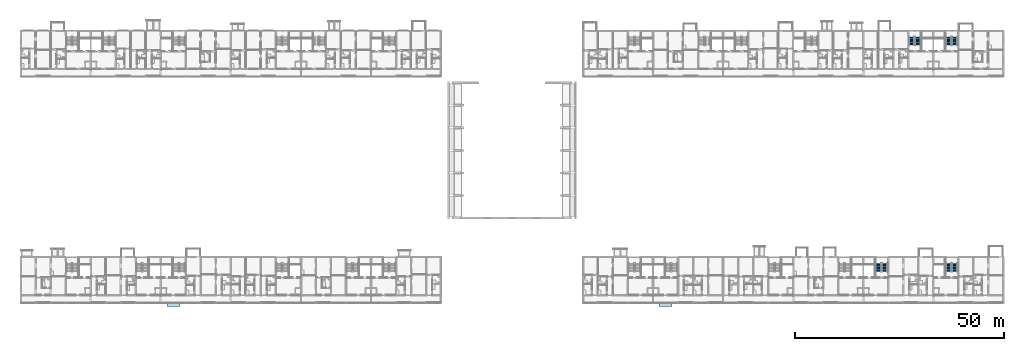
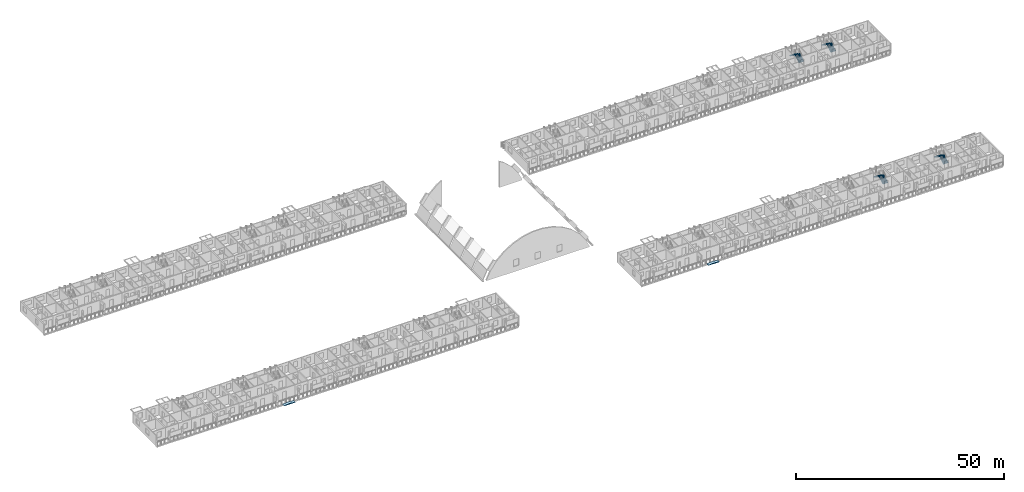
# One storey, part 64 of 100: 8 stair flights, 2 roofs, 4 elements without a shape of their own.
"""IFC4 building model written with IfcOpenShell, lengths in metres."""

from ifc_helpers import new_model, si_unit, direction, frame, origin, place, context, subcontext, project, spatial, polyline, outline, extrude, material, type_object, element, aggregate, save


model = new_model("IFC4")

# Units and contexts
model_context = context("Model", 3, precision=1e-05, world=origin(), true_north=direction((0.0, 1.0)))
body_context = subcontext(model_context, "Body", "Model", "MODEL_VIEW")
ifc_project = project(units=[si_unit("LENGTHUNIT", "METRE"), si_unit("AREAUNIT", "SQUARE_METRE"), si_unit("VOLUMEUNIT", "CUBIC_METRE"), si_unit("PLANEANGLEUNIT", "RADIAN"), si_unit("MASSUNIT", "GRAM", prefix="KILO")], contexts=[model_context])

# Site, building, storey
site_placement = place(None, origin())
site = spatial("IfcSite", under=ifc_project, at=site_placement, CompositionType="ELEMENT")
building_placement = place(site_placement, origin())
building = spatial("IfcBuilding", under=site, at=building_placement, Name="Ridgestep Commons", CompositionType="ELEMENT")
storey_placement = place(building_placement, frame((0.0, 0.0, 9.0)))
storey = spatial("IfcBuildingStorey", under=building, at=storey_placement, Name="L03", CompositionType="ELEMENT", Elevation=9.0)

# Stair, stair flights
ifc_material_1 = material(Name="Precast concrete C40/50", Category="concrete")
stair_type = type_object("IfcStairType", Name="Escape stair 1400", PredefinedType="HALF_TURN_STAIR", material=ifc_material_1)
stair_1_placement = place(storey_placement, origin())
stair_1 = element("IfcStair", 1, at=stair_1_placement, inside=storey, type_object=stair_type, Name="L03 Escape stair C5C", PredefinedType="HALF_TURN_STAIR")
ifc_material_2 = material(Name="Precast concrete C40/50", Category="concrete")
stair_flight_type = type_object("IfcStairFlightType", Name="Stair flight 1400", PredefinedType="STRAIGHT", material=ifc_material_2)
stair_flight_1_placement = place(storey_placement, frame((227.125, 73.60009765625, 0.0), z_axis=(0.0, 0.0, 1.0), x_axis=(0.0, 1.0, 0.0)))
stair_flight_1 = element("IfcStairFlight", 2, at=stair_flight_1_placement, type_object=stair_flight_type, Name="C5C flight 1", NumberOfRisers=8, NumberOfTreads=7, PredefinedType="STRAIGHT", RiserHeight=0.1875, TreadLength=0.28, context=body_context, shape_type="SweptSolid", body=[
    extrude(outline(polyline([(0.0, 0.0), (0.0, 0.1875), (0.280029296875, 0.1875), (0.280029296875, 0.375), (0.56005859375, 0.375), (0.56005859375, 0.5625), (0.840087890625, 0.5625), (0.840087890625, 0.75), (1.1201171875, 0.75), (1.1201171875, 0.9375), (1.39990234375, 0.9375), (1.39990234375, 1.125), (1.679931640625, 1.125), (1.679931640625, 1.3125), (1.9599609375, 1.3125), (1.9599609375, 1.5), (1.9599609375, 1.132080078125), (0.26953125, 0.0), (0.0, 0.0)])), frame((0.0, 0.699951171875, 0.0), z_axis=(0.0, -1.0, 0.0), x_axis=(1.0, 0.0, 0.0)), (0.0, 0.0, 1.0), 0.695068359375),
    extrude(outline(polyline([(0.0, 0.0), (0.0, 0.1875), (0.280029296875, 0.1875), (0.280029296875, 0.375), (0.56005859375, 0.375), (0.56005859375, 0.5625), (0.840087890625, 0.5625), (0.840087890625, 0.75), (1.1201171875, 0.75), (1.1201171875, 0.9375), (1.39990234375, 0.9375), (1.39990234375, 1.125), (1.679931640625, 1.125), (1.679931640625, 1.3125), (1.9599609375, 1.3125), (1.9599609375, 1.5), (1.9599609375, 1.132080078125), (0.26953125, 0.0), (0.0, 0.0)])), frame((0.0, -0.0048828125, 0.0), z_axis=(0.0, -1.0, 0.0), x_axis=(1.0, 0.0, 0.0)), (0.0, 0.0, 1.0), 0.695068359375),
])
stair_flight_2_placement = place(storey_placement, frame((225.625, 75.56005859375, 1.5), z_axis=(0.0, 0.0, 1.0), x_axis=(0.0, -1.0, 0.0)))
stair_flight_2 = element("IfcStairFlight", 3, at=stair_flight_2_placement, type_object=stair_flight_type, Name="C5C flight 2", NumberOfRisers=8, NumberOfTreads=7, PredefinedType="STRAIGHT", RiserHeight=0.1875, TreadLength=0.28, context=body_context, shape_type="SweptSolid", body=[
    extrude(outline(polyline([(0.0, 0.0), (0.0, 0.1875), (0.280029296875, 0.1875), (0.280029296875, 0.375), (0.56005859375, 0.375), (0.56005859375, 0.5625), (0.840087890625, 0.5625), (0.840087890625, 0.75), (1.1201171875, 0.75), (1.1201171875, 0.9375), (1.39990234375, 0.9375), (1.39990234375, 1.125), (1.679931640625, 1.125), (1.679931640625, 1.3125), (1.9599609375, 1.3125), (1.9599609375, 1.5), (1.9599609375, 1.132080078125), (0.26953125, 0.0), (0.0, 0.0)])), frame((0.0, 0.699951171875, 0.0), z_axis=(0.0, -1.0, 0.0), x_axis=(1.0, 0.0, 0.0)), (0.0, 0.0, 1.0), 0.695068359375),
    extrude(outline(polyline([(0.0, 0.0), (0.0, 0.1875), (0.280029296875, 0.1875), (0.280029296875, 0.375), (0.56005859375, 0.375), (0.56005859375, 0.5625), (0.840087890625, 0.5625), (0.840087890625, 0.75), (1.1201171875, 0.75), (1.1201171875, 0.9375), (1.39990234375, 0.9375), (1.39990234375, 1.125), (1.679931640625, 1.125), (1.679931640625, 1.3125), (1.9599609375, 1.3125), (1.9599609375, 1.5), (1.9599609375, 1.132080078125), (0.26953125, 0.0), (0.0, 0.0)])), frame((0.0, -0.0048828125, 0.0), z_axis=(0.0, -1.0, 0.0), x_axis=(1.0, 0.0, 0.0)), (0.0, 0.0, 1.0), 0.695068359375),
])
aggregate(stair_1, [stair_flight_1, stair_flight_2])

stair_2_placement = place(storey_placement, origin())
stair_2 = element("IfcStair", 4, at=stair_2_placement, inside=storey, type_object=stair_type, Name="L03 Escape stair C6C", PredefinedType="HALF_TURN_STAIR")
stair_flight_3_placement = place(storey_placement, frame((235.97509765625, 73.60009765625, 0.0), z_axis=(0.0, 0.0, 1.0), x_axis=(0.0, 1.0, 0.0)))
stair_flight_3 = element("IfcStairFlight", 5, at=stair_flight_3_placement, type_object=stair_flight_type, Name="C6C flight 1", NumberOfRisers=8, NumberOfTreads=7, PredefinedType="STRAIGHT", RiserHeight=0.1875, TreadLength=0.28, context=body_context, shape_type="SweptSolid", body=[
    extrude(outline(polyline([(0.0, 0.0), (0.0, 0.1875), (0.280029296875, 0.1875), (0.280029296875, 0.375), (0.56005859375, 0.375), (0.56005859375, 0.5625), (0.840087890625, 0.5625), (0.840087890625, 0.75), (1.1201171875, 0.75), (1.1201171875, 0.9375), (1.39990234375, 0.9375), (1.39990234375, 1.125), (1.679931640625, 1.125), (1.679931640625, 1.3125), (1.9599609375, 1.3125), (1.9599609375, 1.5), (1.9599609375, 1.132080078125), (0.26953125, 0.0), (0.0, 0.0)])), frame((0.0, 0.699951171875, 0.0), z_axis=(0.0, -1.0, 0.0), x_axis=(1.0, 0.0, 0.0)), (0.0, 0.0, 1.0), 0.695068359375),
    extrude(outline(polyline([(0.0, 0.0), (0.0, 0.1875), (0.280029296875, 0.1875), (0.280029296875, 0.375), (0.56005859375, 0.375), (0.56005859375, 0.5625), (0.840087890625, 0.5625), (0.840087890625, 0.75), (1.1201171875, 0.75), (1.1201171875, 0.9375), (1.39990234375, 0.9375), (1.39990234375, 1.125), (1.679931640625, 1.125), (1.679931640625, 1.3125), (1.9599609375, 1.3125), (1.9599609375, 1.5), (1.9599609375, 1.132080078125), (0.26953125, 0.0), (0.0, 0.0)])), frame((0.0, -0.0048828125, 0.0), z_axis=(0.0, -1.0, 0.0), x_axis=(1.0, 0.0, 0.0)), (0.0, 0.0, 1.0), 0.695068359375),
])
stair_flight_4_placement = place(storey_placement, frame((234.47509765625, 75.56005859375, 1.5), z_axis=(0.0, 0.0, 1.0), x_axis=(0.0, -1.0, 0.0)))
stair_flight_4 = element("IfcStairFlight", 6, at=stair_flight_4_placement, type_object=stair_flight_type, Name="C6C flight 2", NumberOfRisers=8, NumberOfTreads=7, PredefinedType="STRAIGHT", RiserHeight=0.1875, TreadLength=0.28, context=body_context, shape_type="SweptSolid", body=[
    extrude(outline(polyline([(0.0, 0.0), (0.0, 0.1875), (0.280029296875, 0.1875), (0.280029296875, 0.375), (0.56005859375, 0.375), (0.56005859375, 0.5625), (0.840087890625, 0.5625), (0.840087890625, 0.75), (1.1201171875, 0.75), (1.1201171875, 0.9375), (1.39990234375, 0.9375), (1.39990234375, 1.125), (1.679931640625, 1.125), (1.679931640625, 1.3125), (1.9599609375, 1.3125), (1.9599609375, 1.5), (1.9599609375, 1.132080078125), (0.26953125, 0.0), (0.0, 0.0)])), frame((0.0, 0.699951171875, 0.0), z_axis=(0.0, -1.0, 0.0), x_axis=(1.0, 0.0, 0.0)), (0.0, 0.0, 1.0), 0.695068359375),
    extrude(outline(polyline([(0.0, 0.0), (0.0, 0.1875), (0.280029296875, 0.1875), (0.280029296875, 0.375), (0.56005859375, 0.375), (0.56005859375, 0.5625), (0.840087890625, 0.5625), (0.840087890625, 0.75), (1.1201171875, 0.75), (1.1201171875, 0.9375), (1.39990234375, 0.9375), (1.39990234375, 1.125), (1.679931640625, 1.125), (1.679931640625, 1.3125), (1.9599609375, 1.3125), (1.9599609375, 1.5), (1.9599609375, 1.132080078125), (0.26953125, 0.0), (0.0, 0.0)])), frame((0.0, -0.0048828125, 0.0), z_axis=(0.0, -1.0, 0.0), x_axis=(1.0, 0.0, 0.0)), (0.0, 0.0, 1.0), 0.695068359375),
])
aggregate(stair_2, [stair_flight_3, stair_flight_4])

stair_3_placement = place(storey_placement, origin())
stair_3 = element("IfcStair", 7, at=stair_3_placement, inside=storey, type_object=stair_type, Name="L03 Escape stair D5C", PredefinedType="HALF_TURN_STAIR")
stair_flight_5_placement = place(storey_placement, frame((219.175048828125, 19.35009765625, 0.0), z_axis=(0.0, 0.0, 1.0), x_axis=(0.0, 1.0, 0.0)))
stair_flight_5 = element("IfcStairFlight", 8, at=stair_flight_5_placement, type_object=stair_flight_type, Name="D5C flight 1", NumberOfRisers=8, NumberOfTreads=7, PredefinedType="STRAIGHT", RiserHeight=0.1875, TreadLength=0.28, context=body_context, shape_type="SweptSolid", body=[
    extrude(outline(polyline([(0.0, 0.0), (0.0, 0.1875), (0.280029296875, 0.1875), (0.280029296875, 0.375), (0.56005859375, 0.375), (0.56005859375, 0.5625), (0.840087890625, 0.5625), (0.840087890625, 0.75), (1.1201171875, 0.75), (1.1201171875, 0.9375), (1.39990234375, 0.9375), (1.39990234375, 1.125), (1.679931640625, 1.125), (1.679931640625, 1.3125), (1.9599609375, 1.3125), (1.9599609375, 1.5), (1.9599609375, 1.132080078125), (0.26953125, 0.0), (0.0, 0.0)])), frame((0.0, 0.699951171875, 0.0), z_axis=(0.0, -1.0, 0.0), x_axis=(1.0, 0.0, 0.0)), (0.0, 0.0, 1.0), 0.695068359375),
    extrude(outline(polyline([(0.0, 0.0), (0.0, 0.1875), (0.280029296875, 0.1875), (0.280029296875, 0.375), (0.56005859375, 0.375), (0.56005859375, 0.5625), (0.840087890625, 0.5625), (0.840087890625, 0.75), (1.1201171875, 0.75), (1.1201171875, 0.9375), (1.39990234375, 0.9375), (1.39990234375, 1.125), (1.679931640625, 1.125), (1.679931640625, 1.3125), (1.9599609375, 1.3125), (1.9599609375, 1.5), (1.9599609375, 1.132080078125), (0.26953125, 0.0), (0.0, 0.0)])), frame((0.0, -0.0048828125, 0.0), z_axis=(0.0, -1.0, 0.0), x_axis=(1.0, 0.0, 0.0)), (0.0, 0.0, 1.0), 0.695068359375),
])
stair_flight_6_placement = place(storey_placement, frame((217.675048828125, 21.31005859375, 1.5), z_axis=(0.0, 0.0, 1.0), x_axis=(0.0, -1.0, 0.0)))
stair_flight_6 = element("IfcStairFlight", 9, at=stair_flight_6_placement, type_object=stair_flight_type, Name="D5C flight 2", NumberOfRisers=8, NumberOfTreads=7, PredefinedType="STRAIGHT", RiserHeight=0.1875, TreadLength=0.28, context=body_context, shape_type="SweptSolid", body=[
    extrude(outline(polyline([(0.0, 0.0), (0.0, 0.1875), (0.280029296875, 0.1875), (0.280029296875, 0.375), (0.56005859375, 0.375), (0.56005859375, 0.5625), (0.840087890625, 0.5625), (0.840087890625, 0.75), (1.1201171875, 0.75), (1.1201171875, 0.9375), (1.39990234375, 0.9375), (1.39990234375, 1.125), (1.679931640625, 1.125), (1.679931640625, 1.3125), (1.9599609375, 1.3125), (1.9599609375, 1.5), (1.9599609375, 1.132080078125), (0.26953125, 0.0), (0.0, 0.0)])), frame((0.0, 0.699951171875, 0.0), z_axis=(0.0, -1.0, 0.0), x_axis=(1.0, 0.0, 0.0)), (0.0, 0.0, 1.0), 0.695068359375),
    extrude(outline(polyline([(0.0, 0.0), (0.0, 0.1875), (0.280029296875, 0.1875), (0.280029296875, 0.375), (0.56005859375, 0.375), (0.56005859375, 0.5625), (0.840087890625, 0.5625), (0.840087890625, 0.75), (1.1201171875, 0.75), (1.1201171875, 0.9375), (1.39990234375, 0.9375), (1.39990234375, 1.125), (1.679931640625, 1.125), (1.679931640625, 1.3125), (1.9599609375, 1.3125), (1.9599609375, 1.5), (1.9599609375, 1.132080078125), (0.26953125, 0.0), (0.0, 0.0)])), frame((0.0, -0.0048828125, 0.0), z_axis=(0.0, -1.0, 0.0), x_axis=(1.0, 0.0, 0.0)), (0.0, 0.0, 1.0), 0.695068359375),
])
aggregate(stair_3, [stair_flight_5, stair_flight_6])

stair_4_placement = place(storey_placement, origin())
stair_4 = element("IfcStair", 10, at=stair_4_placement, inside=storey, type_object=stair_type, Name="L03 Escape stair D6C", PredefinedType="HALF_TURN_STAIR")
stair_flight_7_placement = place(storey_placement, frame((235.97509765625, 19.35009765625, 0.0), z_axis=(0.0, 0.0, 1.0), x_axis=(0.0, 1.0, 0.0)))
stair_flight_7 = element("IfcStairFlight", 11, at=stair_flight_7_placement, type_object=stair_flight_type, Name="D6C flight 1", NumberOfRisers=8, NumberOfTreads=7, PredefinedType="STRAIGHT", RiserHeight=0.1875, TreadLength=0.28, context=body_context, shape_type="SweptSolid", body=[
    extrude(outline(polyline([(0.0, 0.0), (0.0, 0.1875), (0.280029296875, 0.1875), (0.280029296875, 0.375), (0.56005859375, 0.375), (0.56005859375, 0.5625), (0.840087890625, 0.5625), (0.840087890625, 0.75), (1.1201171875, 0.75), (1.1201171875, 0.9375), (1.39990234375, 0.9375), (1.39990234375, 1.125), (1.679931640625, 1.125), (1.679931640625, 1.3125), (1.9599609375, 1.3125), (1.9599609375, 1.5), (1.9599609375, 1.132080078125), (0.26953125, 0.0), (0.0, 0.0)])), frame((0.0, 0.699951171875, 0.0), z_axis=(0.0, -1.0, 0.0), x_axis=(1.0, 0.0, 0.0)), (0.0, 0.0, 1.0), 0.695068359375),
    extrude(outline(polyline([(0.0, 0.0), (0.0, 0.1875), (0.280029296875, 0.1875), (0.280029296875, 0.375), (0.56005859375, 0.375), (0.56005859375, 0.5625), (0.840087890625, 0.5625), (0.840087890625, 0.75), (1.1201171875, 0.75), (1.1201171875, 0.9375), (1.39990234375, 0.9375), (1.39990234375, 1.125), (1.679931640625, 1.125), (1.679931640625, 1.3125), (1.9599609375, 1.3125), (1.9599609375, 1.5), (1.9599609375, 1.132080078125), (0.26953125, 0.0), (0.0, 0.0)])), frame((0.0, -0.0048828125, 0.0), z_axis=(0.0, -1.0, 0.0), x_axis=(1.0, 0.0, 0.0)), (0.0, 0.0, 1.0), 0.695068359375),
])
stair_flight_8_placement = place(storey_placement, frame((234.47509765625, 21.31005859375, 1.5), z_axis=(0.0, 0.0, 1.0), x_axis=(0.0, -1.0, 0.0)))
stair_flight_8 = element("IfcStairFlight", 12, at=stair_flight_8_placement, type_object=stair_flight_type, Name="D6C flight 2", NumberOfRisers=8, NumberOfTreads=7, PredefinedType="STRAIGHT", RiserHeight=0.1875, TreadLength=0.28, context=body_context, shape_type="SweptSolid", body=[
    extrude(outline(polyline([(0.0, 0.0), (0.0, 0.1875), (0.280029296875, 0.1875), (0.280029296875, 0.375), (0.56005859375, 0.375), (0.56005859375, 0.5625), (0.840087890625, 0.5625), (0.840087890625, 0.75), (1.1201171875, 0.75), (1.1201171875, 0.9375), (1.39990234375, 0.9375), (1.39990234375, 1.125), (1.679931640625, 1.125), (1.679931640625, 1.3125), (1.9599609375, 1.3125), (1.9599609375, 1.5), (1.9599609375, 1.132080078125), (0.26953125, 0.0), (0.0, 0.0)])), frame((0.0, 0.699951171875, 0.0), z_axis=(0.0, -1.0, 0.0), x_axis=(1.0, 0.0, 0.0)), (0.0, 0.0, 1.0), 0.695068359375),
    extrude(outline(polyline([(0.0, 0.0), (0.0, 0.1875), (0.280029296875, 0.1875), (0.280029296875, 0.375), (0.56005859375, 0.375), (0.56005859375, 0.5625), (0.840087890625, 0.5625), (0.840087890625, 0.75), (1.1201171875, 0.75), (1.1201171875, 0.9375), (1.39990234375, 0.9375), (1.39990234375, 1.125), (1.679931640625, 1.125), (1.679931640625, 1.3125), (1.9599609375, 1.3125), (1.9599609375, 1.5), (1.9599609375, 1.132080078125), (0.26953125, 0.0), (0.0, 0.0)])), frame((0.0, -0.0048828125, 0.0), z_axis=(0.0, -1.0, 0.0), x_axis=(1.0, 0.0, 0.0)), (0.0, 0.0, 1.0), 0.695068359375),
])
aggregate(stair_4, [stair_flight_7, stair_flight_8])

# Roofs
ifc_material_3 = material(Name="Zinc-aluminium profiled sheet", Category="aluminium")
roof_type = type_object("IfcRoofType", Name="Portal pediment 3100 x 800", PredefinedType="GABLE_ROOF", material=ifc_material_3)
for number, where, z_axis, x_axis, name in (
    (13, (47.0625, 11.35009765625, -0.10009765625), (0.0, 0.0, 1.0), (1.0, 0.0, 0.0), "Portal pediment A"),
    (14, (165.0625, 11.35009765625, -0.10009765625), (0.0, 0.0, 1.0), (1.0, 0.0, 0.0), "Portal pediment D"),
):
    element("IfcRoof", number, at=place(storey_placement, frame(where, z_axis=z_axis, x_axis=x_axis)), inside=storey, type_object=roof_type, Name=name, PredefinedType="GABLE_ROOF", context=body_context, shape_type="SweptSolid", body=[
        extrude(outline(polyline([(0.0, 0.0), (3.10009765625, 0.0), (3.10009765625, 0.10009765625), (1.550048828125, 0.25), (0.0, 0.10009765625), (0.0, 0.0)])), frame((0.0, 0.39990234375, 0.0), z_axis=(0.0, -1.0, 0.0), x_axis=(1.0, 0.0, 0.0)), (0.0, 0.0, 1.0), 0.800048828125),
    ])

save(model, "model.ifc")
